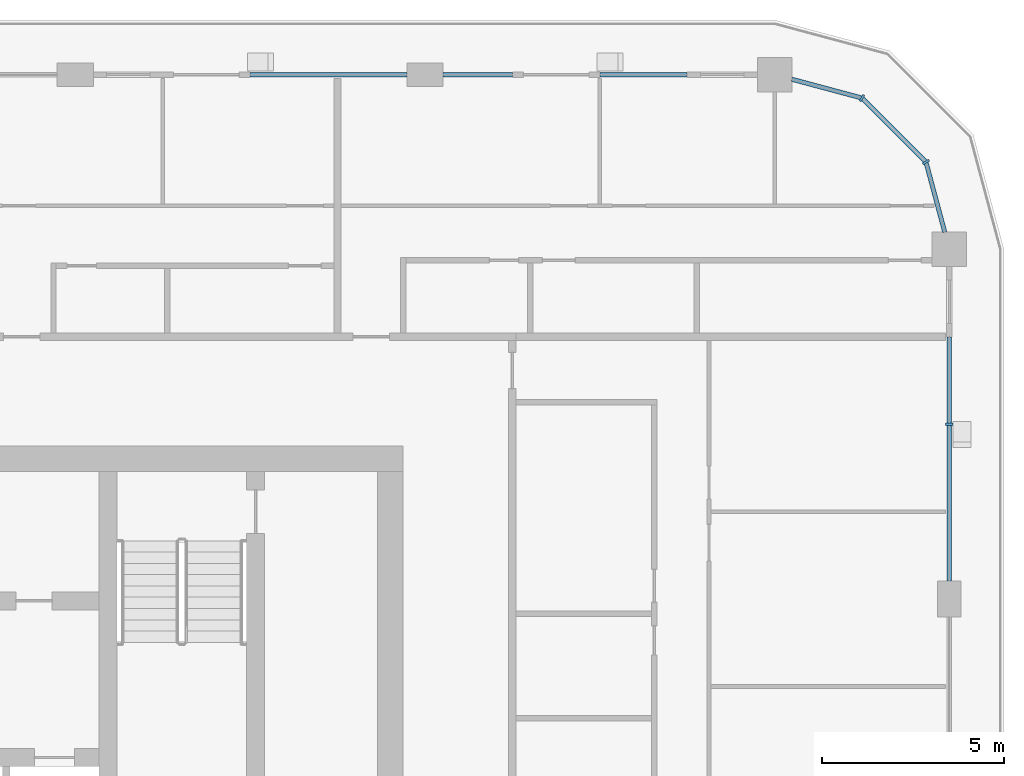
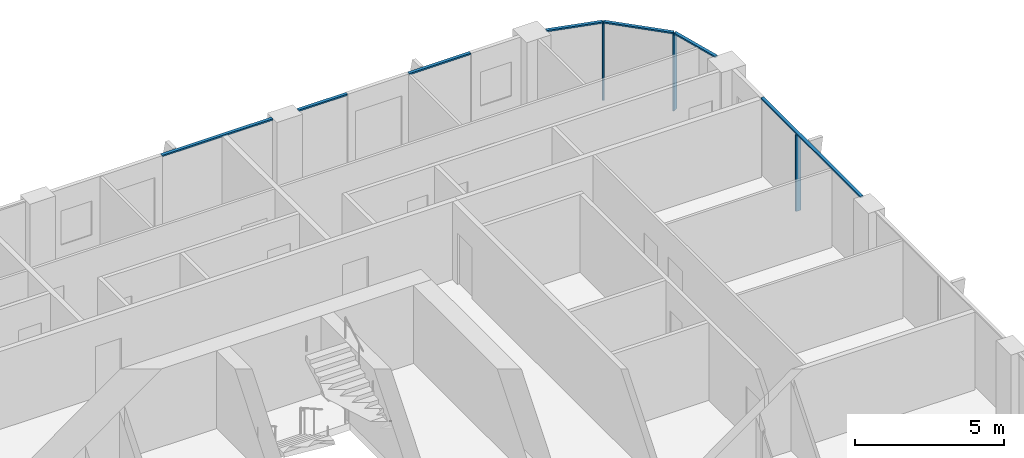
# One storey, part 6 of 22: 10 members, 4 elements without a shape of their own.
"""IFC4 building model written with IfcOpenShell, lengths in metres."""

from ifc_helpers import new_model, si_unit, direction, frame, origin, origin_2d, place, context, subcontext, project, spatial, rectangle, extrude, material, layer, layer_set, material_profile, profile_set, type_object, element, aggregate, save


model = new_model("IFC4")

# Units and contexts
model_context = context("Model", 3, precision=1e-05, world=origin(), true_north=direction((0.0, 1.0)))
body_context = subcontext(model_context, "Body", "Model", "MODEL_VIEW")
ifc_project = project(units=[si_unit("LENGTHUNIT", "METRE"), si_unit("AREAUNIT", "SQUARE_METRE"), si_unit("VOLUMEUNIT", "CUBIC_METRE"), si_unit("PLANEANGLEUNIT", "RADIAN"), si_unit("MASSUNIT", "GRAM", prefix="KILO")], contexts=[model_context])

# Site, building, storey
site_placement = place(None, origin())
site = spatial("IfcSite", under=ifc_project, at=site_placement, CompositionType="ELEMENT")
building_placement = place(site_placement, origin())
building = spatial("IfcBuilding", under=site, at=building_placement, Name="Madar Terraces", CompositionType="ELEMENT")
storey_placement = place(building_placement, frame((0.0, 0.0, 189.39990234375)))
storey = spatial("IfcBuildingStorey", under=building, at=storey_placement, Name="L49", CompositionType="ELEMENT", Elevation=189.39990234375)

# Curtain wall, member
ifc_material_1 = material(Name="Glass, ceramic frit dark grey, with black aluminium frame", Category="aluminium")
ifc_layer = layer(ifc_material_1, 0.199951171875)
ifc_layer_set = layer_set([ifc_layer], Name="Facade curtain wall, fritted glass")
curtain_wall_type = type_object("IfcCurtainWallType", Name="Facade curtain wall, fritted glass", PredefinedType="NOTDEFINED", material=ifc_layer_set)
curtain_wall_1_placement = place(storey_placement, origin())
curtain_wall_1 = element("IfcCurtainWall", 1, at=curtain_wall_1_placement, inside=storey, type_object=curtain_wall_type, Name="Outer skin curtain wall east bay 4", PredefinedType="NOTDEFINED")
ifc_material_2 = material(Name="Aluminium, black anodised", Category="aluminium")
ifc_material_profile_1 = material_profile(ifc_material_2, rectangle(XDim=0.199951171875, YDim=0.06005859375, at=origin_2d()), Name="Facade mullion 60x200")
ifc_profile_set_1 = profile_set([ifc_material_profile_1], Name="Aluminium, black anodised")
member_type_1 = type_object("IfcMemberType", Name="Facade mullion 60x200", PredefinedType="MULLION", material=ifc_profile_set_1)
member_1_placement = place(storey_placement, frame((62.39990234375, 38.39990234375, 0.0), z_axis=(0.0, 0.0, 1.0), x_axis=(-1.0, 0.0, 0.0)))
member_1 = element("IfcMember", 2, at=member_1_placement, type_object=member_type_1, Name="Mullion 1", PredefinedType="MULLION", context=body_context, shape_type="SweptSolid", body=[
    extrude(rectangle(XDim=0.199951171875, YDim=0.06005859375, at=origin_2d()), origin(), (0.0, 0.0, 1.0), 3.14013671875),
])

# Curtain wall, members
curtain_wall_2_placement = place(storey_placement, origin())
curtain_wall_2 = element("IfcCurtainWall", 3, at=curtain_wall_2_placement, inside=storey, type_object=curtain_wall_type, Name="Outer skin curtain wall north-east corner", PredefinedType="NOTDEFINED")
member_2_placement = place(storey_placement, frame((61.7568359375, 45.60009765625, 0.0), z_axis=(0.0, 0.0, 1.0), x_axis=(-0.866025409797, -0.499999989586, 0.0)))
member_2 = element("IfcMember", 4, at=member_2_placement, type_object=member_type_1, Name="Mullion 1", PredefinedType="MULLION", context=body_context, shape_type="SweptSolid", body=[
    extrude(rectangle(XDim=0.199951171875, YDim=0.06005859375, at=origin_2d()), origin(), (0.0, 0.0, 1.0), 3.14013671875),
])
member_3_placement = place(storey_placement, frame((60.0, 47.35693359375, 0.0), z_axis=(0.0, 0.0, 1.0), x_axis=(-0.499999989586, -0.866025409797, 0.0)))
member_3 = element("IfcMember", 5, at=member_3_placement, type_object=member_type_1, Name="Mullion 2", PredefinedType="MULLION", context=body_context, shape_type="SweptSolid", body=[
    extrude(rectangle(XDim=0.199951171875, YDim=0.06005859375, at=origin_2d()), origin(), (0.0, 0.0, 1.0), 3.14013671875),
])

# Member
ifc_material_3 = material(Name="Aluminium, black anodised", Category="aluminium")
ifc_material_profile_2 = material_profile(ifc_material_3, rectangle(XDim=0.1201171875, YDim=0.06005859375, at=origin_2d()), Name="Facade transom 60x120")
ifc_profile_set_2 = profile_set([ifc_material_profile_2], Name="Aluminium, black anodised")
member_type_2 = type_object("IfcMemberType", Name="Facade transom 60x120", PredefinedType="USERDEFINED", material=ifc_profile_set_2)
member_4_placement = place(storey_placement, frame((62.39990234375, 34.10009765625, 3.170166015625), z_axis=(0.0, 1.0, 0.0), x_axis=(-1.0, 0.0, 0.0)))
member_4 = element("IfcMember", 6, at=member_4_placement, type_object=member_type_2, Name="Transom 1", ObjectType="TRANSOM", PredefinedType="USERDEFINED", context=body_context, shape_type="SweptSolid", body=[
    extrude(rectangle(XDim=0.1201171875, YDim=0.06005859375, at=origin_2d()), origin(), (0.0, 0.0, 1.0), 6.699951171875),
])

aggregate(curtain_wall_1, [member_1, member_4])

# Curtain wall, members
curtain_wall_3_placement = place(storey_placement, origin())
curtain_wall_3 = element("IfcCurtainWall", 7, at=curtain_wall_3_placement, inside=storey, type_object=curtain_wall_type, Name="Outer skin curtain wall north bay 1", PredefinedType="NOTDEFINED")
member_5_placement = place(storey_placement, frame((55.199951171875, 48.0, 3.170166015625), z_axis=(-1.0, 0.0, 0.0), x_axis=(0.0, -1.0, 0.0)))
member_5 = element("IfcMember", 8, at=member_5_placement, type_object=member_type_2, Name="Transom 1", ObjectType="TRANSOM", PredefinedType="USERDEFINED", context=body_context, shape_type="SweptSolid", body=[
    extrude(rectangle(XDim=0.1201171875, YDim=0.06005859375, at=origin_2d()), origin(), (0.0, 0.0, 1.0), 2.39990234375),
])
member_6_placement = place(storey_placement, frame((50.39990234375, 48.0, 3.170166015625), z_axis=(-1.0, 0.0, 0.0), x_axis=(0.0, -1.0, 0.0)))
member_6 = element("IfcMember", 9, at=member_6_placement, type_object=member_type_2, Name="Transom 2", ObjectType="TRANSOM", PredefinedType="USERDEFINED", context=body_context, shape_type="SweptSolid", body=[
    extrude(rectangle(XDim=0.1201171875, YDim=0.06005859375, at=origin_2d()), origin(), (0.0, 0.0, 1.0), 1.89990234375),
])
aggregate(curtain_wall_3, [member_5, member_6])

# Curtain wall, member
curtain_wall_4_placement = place(storey_placement, origin())
curtain_wall_4 = element("IfcCurtainWall", 10, at=curtain_wall_4_placement, inside=storey, type_object=curtain_wall_type, Name="Outer skin curtain wall north bay 2", PredefinedType="NOTDEFINED")
member_7_placement = place(storey_placement, frame((47.5, 48.0, 3.170166015625), z_axis=(-1.0, 0.0, 0.0), x_axis=(0.0, -1.0, 0.0)))
member_7 = element("IfcMember", 11, at=member_7_placement, type_object=member_type_2, Name="Transom 1", ObjectType="TRANSOM", PredefinedType="USERDEFINED", context=body_context, shape_type="SweptSolid", body=[
    extrude(rectangle(XDim=0.1201171875, YDim=0.06005859375, at=origin_2d()), origin(), (0.0, 0.0, 1.0), 4.300048828125),
])
aggregate(curtain_wall_4, [member_7])

# Member
member_8_placement = place(storey_placement, frame((62.272705078125, 43.675048828125, 3.170166015625), z_axis=(-0.258831412352, 0.96592251241, 0.0), x_axis=(-0.96592251241, -0.258831412352, 0.0)))
member_8 = element("IfcMember", 12, at=member_8_placement, type_object=member_type_2, Name="Transom 1", ObjectType="TRANSOM", PredefinedType="USERDEFINED", context=body_context, shape_type="SweptSolid", body=[
    extrude(rectangle(XDim=0.1201171875, YDim=0.06005859375, at=origin_2d()), origin(), (0.0, 0.0, 1.0), 1.962890625),
])

member_9_placement = place(storey_placement, frame((61.735595703125, 45.62109375, 3.170166015625), z_axis=(-0.707056433593, 0.707157125196, 0.0), x_axis=(-0.707157125196, -0.707056433593, 0.0)))
member_9 = element("IfcMember", 13, at=member_9_placement, type_object=member_type_2, Name="Transom 2", ObjectType="TRANSOM", PredefinedType="USERDEFINED", context=body_context, shape_type="SweptSolid", body=[
    extrude(rectangle(XDim=0.1201171875, YDim=0.06005859375, at=origin_2d()), origin(), (0.0, 0.0, 1.0), 2.424560546875),
])

member_10_placement = place(storey_placement, frame((59.970947265625, 47.36474609375, 3.170166015625), z_axis=(-0.96592251241, 0.258831412352, 0.0), x_axis=(-0.258831412352, -0.96592251241, 0.0)))
member_10 = element("IfcMember", 14, at=member_10_placement, type_object=member_type_2, Name="Transom 3", ObjectType="TRANSOM", PredefinedType="USERDEFINED", context=body_context, shape_type="SweptSolid", body=[
    extrude(rectangle(XDim=0.1201171875, YDim=0.06005859375, at=origin_2d()), origin(), (0.0, 0.0, 1.0), 1.962890625),
])

aggregate(curtain_wall_2, [member_2, member_8, member_3, member_9, member_10])

save(model, "model.ifc")
